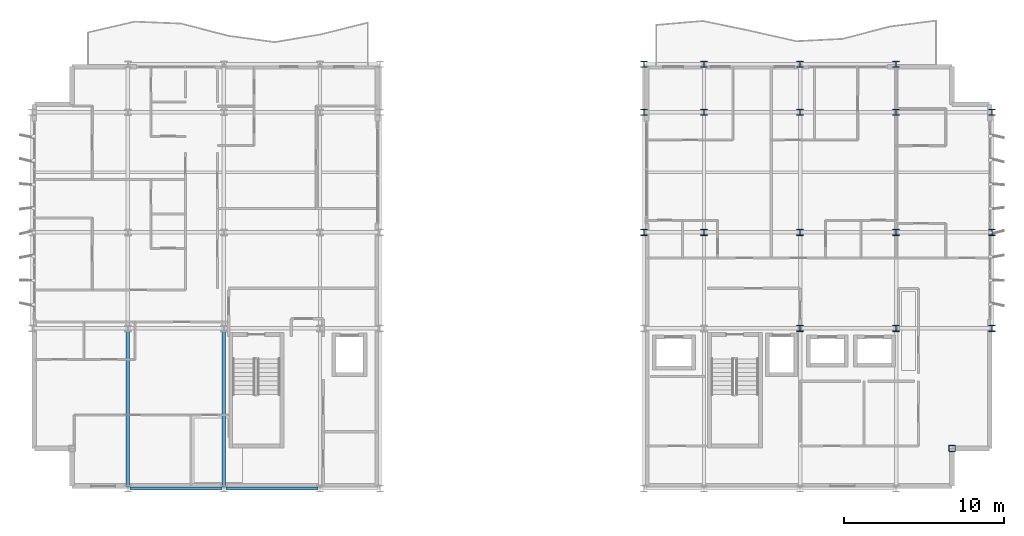
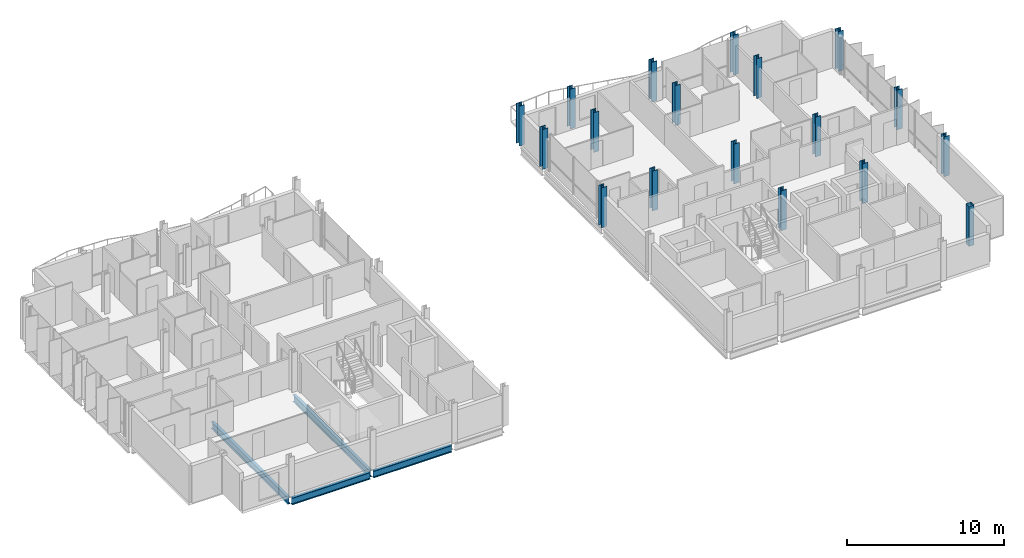
# One storey, part 2 of 29: 18 columns, 4 beams.
"""IFC4 building model written with IfcOpenShell, lengths in metres."""

from ifc_helpers import new_model, si_unit, direction, frame, origin, origin_2d, place, context, subcontext, project, spatial, hollow_rectangle, i_section, extrude, material, material_profile, profile_set, type_object, element, save


model = new_model("IFC4")

# Units and contexts
model_context = context("Model", 3, precision=1e-05, world=origin(), true_north=direction((0.0, 1.0)))
body_context = subcontext(model_context, "Body", "Model", "MODEL_VIEW")
ifc_project = project(units=[si_unit("LENGTHUNIT", "METRE"), si_unit("AREAUNIT", "SQUARE_METRE"), si_unit("VOLUMEUNIT", "CUBIC_METRE"), si_unit("PLANEANGLEUNIT", "RADIAN"), si_unit("MASSUNIT", "GRAM", prefix="KILO")], contexts=[model_context])

# Site, building, storey
site_placement = place(None, origin())
site = spatial("IfcSite", under=ifc_project, at=site_placement, CompositionType="ELEMENT")
building_placement = place(site_placement, origin())
building = spatial("IfcBuilding", under=site, at=building_placement, Name="Brevholm Reach", CompositionType="ELEMENT")
storey_placement = place(building_placement, frame((0.0, 0.0, 198.699951171875)))
storey = spatial("IfcBuildingStorey", under=building, at=storey_placement, Name="L60", CompositionType="ELEMENT", Elevation=198.699951171875)

# Columns
ifc_material_1 = material(Name="Structural Steel S460NH", Category="steel")
ifc_material_profile_1 = material_profile(ifc_material_1, hollow_rectangle(XDim=0.39990234375, YDim=0.39990234375, WallThickness=0.02001953125, InnerFilletRadius=0.011962890625, OuterFilletRadius=0.02392578125, at=origin_2d()), Name="SHS 400x400x20")
ifc_profile_set_1 = profile_set([ifc_material_profile_1], Name="Structural Steel S460NH")
column_type_1 = type_object("IfcColumnType", Name="COL-SHS2", PredefinedType="COLUMN", material=ifc_profile_set_1)
column_placement = place(storey_placement, frame((57.5, 2.5, 0.0), z_axis=(0.0, 0.0, 1.0), x_axis=(1.0, 0.0, 0.0)))
element("IfcColumn", 1, at=column_placement, inside=storey, type_object=column_type_1, Name="L60 Column 45", PredefinedType="COLUMN", context=body_context, shape_type="SweptSolid", body=[
    extrude(hollow_rectangle(XDim=0.39990234375, YDim=0.39990234375, WallThickness=0.02001953125, InnerFilletRadius=0.011962890625, OuterFilletRadius=0.02392578125, at=origin_2d()), origin(), (0.0, 0.0, 1.0), 3.10009765625),
])
ifc_material_2 = material(Name="Structural Steel S355J2", Category="steel")
ifc_material_profile_2 = material_profile(ifc_material_2, i_section(OverallWidth=0.39892578125, OverallDepth=0.3935546875, WebThickness=0.022705078125, FlangeThickness=0.03662109375, FilletRadius=0.01513671875, at=origin_2d()), Name="UKC 356x406x287")
ifc_profile_set_2 = profile_set([ifc_material_profile_2], Name="Structural Steel S355J2")
column_type_2 = type_object("IfcColumnType", Name="COL-UC5B", PredefinedType="COLUMN", material=ifc_profile_set_2)
for number, where, z_axis, x_axis, name in (
    (2, (38.25, 16.0, 0.0), (0.0, 0.0, 1.0), (1.0, 0.0, 0.0), "L60 Column 27"),
    (3, (38.25, 23.5, 0.0), (0.0, 0.0, 1.0), (1.0, 0.0, 0.0), "L60 Column 28"),
    (4, (38.25, 26.5, 0.0), (0.0, 0.0, 1.0), (1.0, 0.0, 0.0), "L60 Column 29"),
    (5, (42.0, 16.0, 0.0), (0.0, 0.0, 1.0), (1.0, 0.0, 0.0), "L60 Column 32"),
    (6, (42.0, 23.5, 0.0), (0.0, 0.0, 1.0), (1.0, 0.0, 0.0), "L60 Column 33"),
    (7, (42.0, 26.5, 0.0), (0.0, 0.0, 1.0), (1.0, 0.0, 0.0), "L60 Column 34"),
    (8, (48.0, 10.0, 0.0), (0.0, 0.0, 1.0), (1.0, 0.0, 0.0), "L60 Column 36"),
    (9, (48.0, 16.0, 0.0), (0.0, 0.0, 1.0), (1.0, 0.0, 0.0), "L60 Column 37"),
    (10, (48.0, 23.5, 0.0), (0.0, 0.0, 1.0), (1.0, 0.0, 0.0), "L60 Column 38"),
    (11, (48.0, 26.5, 0.0), (0.0, 0.0, 1.0), (1.0, 0.0, 0.0), "L60 Column 39"),
    (12, (54.0, 10.0, 0.0), (0.0, 0.0, 1.0), (1.0, 0.0, 0.0), "L60 Column 41"),
    (13, (54.0, 16.0, 0.0), (0.0, 0.0, 1.0), (1.0, 0.0, 0.0), "L60 Column 42"),
    (14, (54.0, 23.5, 0.0), (0.0, 0.0, 1.0), (1.0, 0.0, 0.0), "L60 Column 43"),
    (15, (54.0, 26.5, 0.0), (0.0, 0.0, 1.0), (1.0, 0.0, 0.0), "L60 Column 44"),
    (16, (60.0, 10.0, 0.0), (0.0, 0.0, 1.0), (1.0, 0.0, 0.0), "L60 Column 46"),
    (17, (60.0, 16.0, 0.0), (0.0, 0.0, 1.0), (1.0, 0.0, 0.0), "L60 Column 47"),
    (18, (60.0, 23.5, 0.0), (0.0, 0.0, 1.0), (1.0, 0.0, 0.0), "L60 Column 48"),
):
    element("IfcColumn", number, at=place(storey_placement, frame(where, z_axis=z_axis, x_axis=x_axis)), inside=storey, type_object=column_type_2, Name=name, PredefinedType="COLUMN", context=body_context, shape_type="SweptSolid", body=[
        extrude(i_section(OverallWidth=0.39892578125, OverallDepth=0.3935546875, WebThickness=0.022705078125, FlangeThickness=0.03662109375, FilletRadius=0.01513671875, at=origin_2d()), origin(), (0.0, 0.0, 1.0), 3.10009765625),
    ])

# Beams
ifc_material_3 = material(Name="Structural Steel S355J2", Category="steel")
ifc_material_profile_3 = material_profile(ifc_material_3, i_section(OverallWidth=0.209228515625, OverallDepth=0.533203125, WebThickness=0.010009765625, FlangeThickness=0.015625, FilletRadius=0.0126953125, at=origin_2d()), Name="UKB 533x210x92")
ifc_profile_set_3 = profile_set([ifc_material_profile_3], Name="Structural Steel S355J2")
beam_type_1 = type_object("IfcBeamType", Name="BM-SP533", PredefinedType="SPANDREL", material=ifc_profile_set_3)
for number, where, z_axis, x_axis, name in (
    (19, (6.1201171875, 0.0, -0.4765625), (1.0, 0.0, 0.0), (0.0, 1.0, 0.0), "L60 SP-02 Framing Beam"),
    (20, (12.1201171875, 0.0, -0.4765625), (1.0, 0.0, 0.0), (0.0, 1.0, 0.0), "L60 SP-02 Framing Beam"),
):
    element("IfcBeam", number, at=place(storey_placement, frame(where, z_axis=z_axis, x_axis=x_axis)), inside=storey, type_object=beam_type_1, Name=name, PredefinedType="SPANDREL", context=body_context, shape_type="SweptSolid", body=[
        extrude(i_section(OverallWidth=0.209228515625, OverallDepth=0.533203125, WebThickness=0.010009765625, FlangeThickness=0.015625, FilletRadius=0.0126953125, at=origin_2d()), origin(), (0.0, 0.0, 1.0), 5.759765625),
    ])
ifc_material_4 = material(Name="Structural Steel S355J2", Category="steel")
ifc_material_profile_4 = material_profile(ifc_material_4, i_section(OverallWidth=0.210693359375, OverallDepth=0.53955078125, WebThickness=0.01171875, FlangeThickness=0.018798828125, FilletRadius=0.0126953125, at=origin_2d()), Name="UKB 533x210x109")
ifc_profile_set_4 = profile_set([ifc_material_profile_4], Name="Structural Steel S355J2")
beam_type_2 = type_object("IfcBeamType", Name="BM-SP539", PredefinedType="SPANDREL", material=ifc_profile_set_4)
for number, where, z_axis, x_axis, name in (
    (21, (6.0, 0.1201171875, -0.479736328125), (0.0, 1.0, 0.0), (-1.0, 0.0, 0.0), "L60 SP-01B Framing Beam"),
    (22, (12.0, 0.1201171875, -0.479736328125), (0.0, 1.0, 0.0), (-1.0, 0.0, 0.0), "L60 SP-01B Framing Beam"),
):
    element("IfcBeam", number, at=place(storey_placement, frame(where, z_axis=z_axis, x_axis=x_axis)), inside=storey, type_object=beam_type_2, Name=name, PredefinedType="SPANDREL", context=body_context, shape_type="SweptSolid", body=[
        extrude(i_section(OverallWidth=0.210693359375, OverallDepth=0.53955078125, WebThickness=0.01171875, FlangeThickness=0.018798828125, FilletRadius=0.0126953125, at=origin_2d()), origin(), (0.0, 0.0, 1.0), 9.759765625),
    ])

save(model, "model.ifc")
